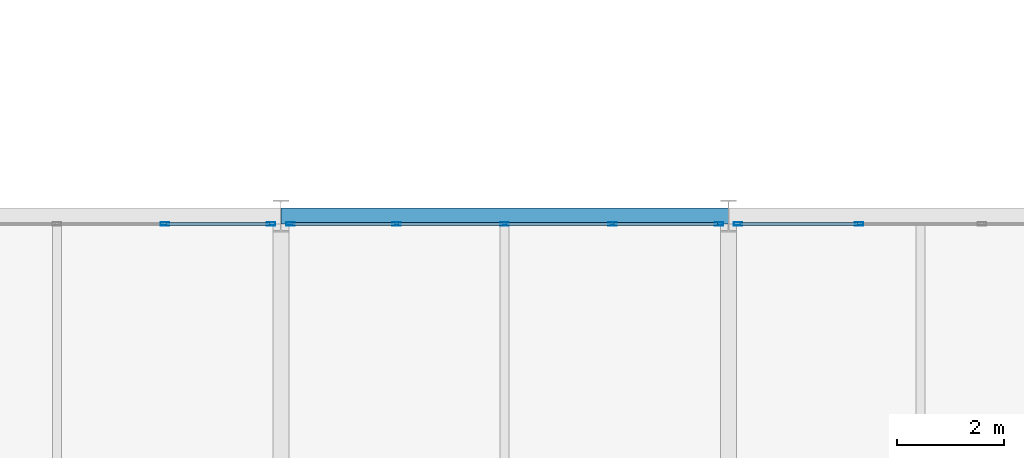
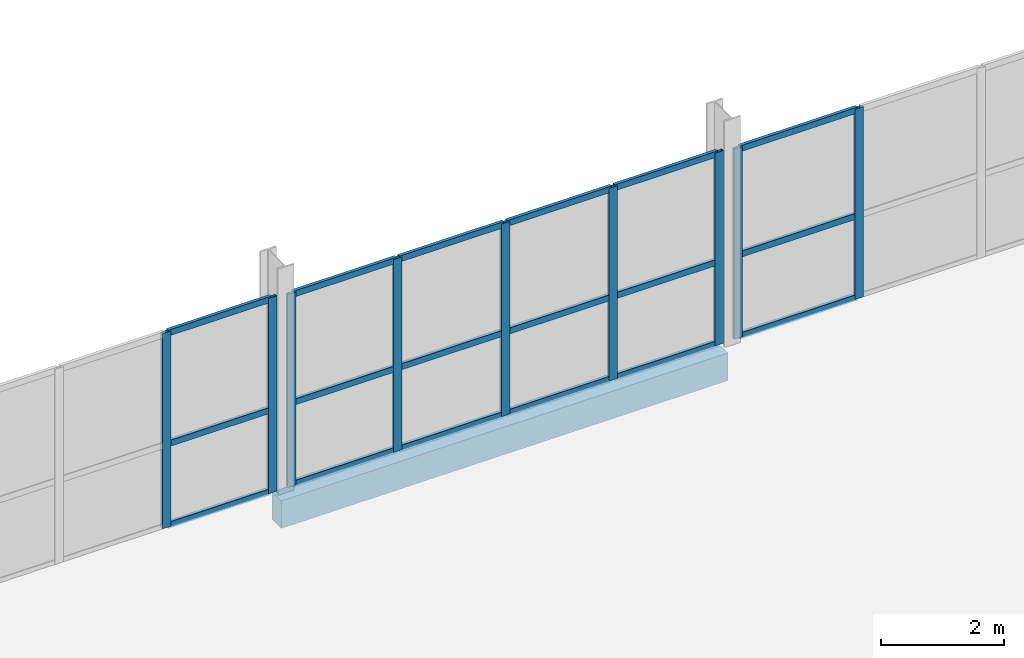
# One storey, part 102 of 130: 27 members, 1 beam, 3 elements without a shape of their own.
"""IFC4 building model written with IfcOpenShell, lengths in metres."""

from ifc_helpers import new_model, si_unit, direction, frame, origin, origin_2d, place, context, subcontext, project, spatial, rectangle, hollow_rectangle, extrude, material, material_profile, profile_set, type_object, element, aggregate, save


model = new_model("IFC4")

# Units and contexts
model_context = context("Model", 3, precision=1e-05, world=origin(), true_north=direction((0.0, 1.0)))
body_context = subcontext(model_context, "Body", "Model", "MODEL_VIEW")
ifc_project = project(units=[si_unit("LENGTHUNIT", "METRE"), si_unit("AREAUNIT", "SQUARE_METRE"), si_unit("VOLUMEUNIT", "CUBIC_METRE"), si_unit("PLANEANGLEUNIT", "RADIAN"), si_unit("MASSUNIT", "GRAM", prefix="KILO")], contexts=[model_context])

# Site, building, storey
site_placement = place(None, origin())
site = spatial("IfcSite", under=ifc_project, at=site_placement, CompositionType="ELEMENT")
building_placement = place(site_placement, origin())
building = spatial("IfcBuilding", under=site, at=building_placement, Name="Veltarok Museum of Natural Sciences", CompositionType="ELEMENT")
storey_placement = place(building_placement, frame((0.0, 0.0, 12.89990234375)))
storey = spatial("IfcBuildingStorey", under=building, at=storey_placement, Name="L02", CompositionType="ELEMENT", Elevation=12.89990234375)

# Curtain wall, members
ifc_material_1 = material(Name="Low-iron triple insulated glass", Category="glass")
curtain_wall_type_1 = type_object("IfcCurtainWallType", Name="Curtain Wall System CW-V5N-L02-0-810x388 (CW-V5N L02 810x388cm)", PredefinedType="NOTDEFINED", material=ifc_material_1)
curtain_wall_1_placement = place(storey_placement, origin())
curtain_wall_1 = element("IfcCurtainWall", 1, at=curtain_wall_1_placement, inside=storey, type_object=curtain_wall_type_1, Name="Curtain Wall CW-V5N-L02-0-810x388 CW-0204", PredefinedType="NOTDEFINED")
ifc_material_2 = material(Name="Thermally broken anodised aluminium", Category="aluminium")
ifc_material_profile_1 = material_profile(ifc_material_2, hollow_rectangle(XDim=0.06005859375, YDim=0.1201171875, WallThickness=0.0048828125, at=origin_2d()), Name="CW TRANSOM 60x120x5")
ifc_profile_set_1 = profile_set([ifc_material_profile_1], Name="Thermally broken anodised aluminium")
member_type_1 = type_object("IfcMemberType", Name="Curtain Wall Horizontal Transom 60x120x5", PredefinedType="USERDEFINED", material=ifc_profile_set_1)
member_1_placement = place(storey_placement, frame((148.989990234375, 71.85009765625, 0.028076171875), z_axis=(-1.0, 0.0, 0.0), x_axis=(0.0, -1.0, 0.0)))
member_1 = element("IfcMember", 2, at=member_1_placement, type_object=member_type_1, Name="CW-V5N-L02-0-810x388 transom 1.1", ObjectType="TRANSOM", PredefinedType="USERDEFINED", context=body_context, shape_type="SweptSolid", body=[
    extrude(hollow_rectangle(XDim=0.06005859375, YDim=0.1201171875, WallThickness=0.0048828125, at=origin_2d()), origin(), (0.0, 0.0, 1.0), 1.93505859375),
])
member_2_placement = place(storey_placement, frame((148.989990234375, 71.85009765625, 1.648193359375), z_axis=(-1.0, 0.0, 0.0), x_axis=(0.0, -1.0, 0.0)))
member_2 = element("IfcMember", 3, at=member_2_placement, type_object=member_type_1, Name="CW-V5N-L02-0-810x388 transom 1.2", ObjectType="TRANSOM", PredefinedType="USERDEFINED", context=body_context, shape_type="SweptSolid", body=[
    extrude(hollow_rectangle(XDim=0.06005859375, YDim=0.1201171875, WallThickness=0.0048828125, at=origin_2d()), origin(), (0.0, 0.0, 1.0), 1.93505859375),
])
member_3_placement = place(storey_placement, frame((148.989990234375, 71.85009765625, 3.85009765625), z_axis=(-1.0, 0.0, 0.0), x_axis=(0.0, -1.0, 0.0)))
member_3 = element("IfcMember", 4, at=member_3_placement, type_object=member_type_1, Name="CW-V5N-L02-0-810x388 transom 1.3", ObjectType="TRANSOM", PredefinedType="USERDEFINED", context=body_context, shape_type="SweptSolid", body=[
    extrude(hollow_rectangle(XDim=0.06005859375, YDim=0.1201171875, WallThickness=0.0048828125, at=origin_2d()), origin(), (0.0, 0.0, 1.0), 1.93505859375),
])

curtain_wall_type_2 = type_object("IfcCurtainWallType", Name="Curtain Wall System CW-V5N-L02-1-810x383 (CW-V5N L02 810x383cm)", PredefinedType="NOTDEFINED", material=ifc_material_1)
curtain_wall_2_placement = place(storey_placement, origin())
curtain_wall_2 = element("IfcCurtainWall", 5, at=curtain_wall_2_placement, inside=storey, type_object=curtain_wall_type_2, Name="Curtain Wall CW-V5N-L02-1-810x383 CW-0205", PredefinedType="NOTDEFINED")
member_4_placement = place(storey_placement, frame((157.389892578125, 71.85009765625, 0.028076171875), z_axis=(-1.0, 0.0, 0.0), x_axis=(0.0, -1.0, 0.0)))
member_4 = element("IfcMember", 6, at=member_4_placement, type_object=member_type_1, Name="CW-V5N-L02-1-810x383 transom 1.1", ObjectType="TRANSOM", PredefinedType="USERDEFINED", context=body_context, shape_type="SweptSolid", body=[
    extrude(hollow_rectangle(XDim=0.06005859375, YDim=0.1201171875, WallThickness=0.0048828125, at=origin_2d()), origin(), (0.0, 0.0, 1.0), 1.934814453125),
])
member_5_placement = place(storey_placement, frame((157.389892578125, 71.85009765625, 1.648193359375), z_axis=(-1.0, 0.0, 0.0), x_axis=(0.0, -1.0, 0.0)))
member_5 = element("IfcMember", 7, at=member_5_placement, type_object=member_type_1, Name="CW-V5N-L02-1-810x383 transom 1.2", ObjectType="TRANSOM", PredefinedType="USERDEFINED", context=body_context, shape_type="SweptSolid", body=[
    extrude(hollow_rectangle(XDim=0.06005859375, YDim=0.1201171875, WallThickness=0.0048828125, at=origin_2d()), origin(), (0.0, 0.0, 1.0), 1.934814453125),
])
member_6_placement = place(storey_placement, frame((157.389892578125, 71.85009765625, 3.800048828125), z_axis=(-1.0, 0.0, 0.0), x_axis=(0.0, -1.0, 0.0)))
member_6 = element("IfcMember", 8, at=member_6_placement, type_object=member_type_1, Name="CW-V5N-L02-1-810x383 transom 1.3", ObjectType="TRANSOM", PredefinedType="USERDEFINED", context=body_context, shape_type="SweptSolid", body=[
    extrude(hollow_rectangle(XDim=0.06005859375, YDim=0.1201171875, WallThickness=0.0048828125, at=origin_2d()), origin(), (0.0, 0.0, 1.0), 1.934814453125),
])
member_7_placement = place(storey_placement, frame((155.39501953125, 71.85009765625, 0.028076171875), z_axis=(-1.0, 0.0, 0.0), x_axis=(0.0, -1.0, 0.0)))
member_7 = element("IfcMember", 9, at=member_7_placement, type_object=member_type_1, Name="CW-V5N-L02-1-810x383 transom 2.1", ObjectType="TRANSOM", PredefinedType="USERDEFINED", context=body_context, shape_type="SweptSolid", body=[
    extrude(hollow_rectangle(XDim=0.06005859375, YDim=0.1201171875, WallThickness=0.0048828125, at=origin_2d()), origin(), (0.0, 0.0, 1.0), 1.965087890625),
])
member_8_placement = place(storey_placement, frame((155.39501953125, 71.85009765625, 1.648193359375), z_axis=(-1.0, 0.0, 0.0), x_axis=(0.0, -1.0, 0.0)))
member_8 = element("IfcMember", 10, at=member_8_placement, type_object=member_type_1, Name="CW-V5N-L02-1-810x383 transom 2.2", ObjectType="TRANSOM", PredefinedType="USERDEFINED", context=body_context, shape_type="SweptSolid", body=[
    extrude(hollow_rectangle(XDim=0.06005859375, YDim=0.1201171875, WallThickness=0.0048828125, at=origin_2d()), origin(), (0.0, 0.0, 1.0), 1.965087890625),
])
member_9_placement = place(storey_placement, frame((155.39501953125, 71.85009765625, 3.800048828125), z_axis=(-1.0, 0.0, 0.0), x_axis=(0.0, -1.0, 0.0)))
member_9 = element("IfcMember", 11, at=member_9_placement, type_object=member_type_1, Name="CW-V5N-L02-1-810x383 transom 2.3", ObjectType="TRANSOM", PredefinedType="USERDEFINED", context=body_context, shape_type="SweptSolid", body=[
    extrude(hollow_rectangle(XDim=0.06005859375, YDim=0.1201171875, WallThickness=0.0048828125, at=origin_2d()), origin(), (0.0, 0.0, 1.0), 1.965087890625),
])
member_10_placement = place(storey_placement, frame((153.3701171875, 71.85009765625, 0.028076171875), z_axis=(-1.0, 0.0, 0.0), x_axis=(0.0, -1.0, 0.0)))
member_10 = element("IfcMember", 12, at=member_10_placement, type_object=member_type_1, Name="CW-V5N-L02-1-810x383 transom 3.1", ObjectType="TRANSOM", PredefinedType="USERDEFINED", context=body_context, shape_type="SweptSolid", body=[
    extrude(hollow_rectangle(XDim=0.06005859375, YDim=0.1201171875, WallThickness=0.0048828125, at=origin_2d()), origin(), (0.0, 0.0, 1.0), 1.965087890625),
])
member_11_placement = place(storey_placement, frame((153.3701171875, 71.85009765625, 1.648193359375), z_axis=(-1.0, 0.0, 0.0), x_axis=(0.0, -1.0, 0.0)))
member_11 = element("IfcMember", 13, at=member_11_placement, type_object=member_type_1, Name="CW-V5N-L02-1-810x383 transom 3.2", ObjectType="TRANSOM", PredefinedType="USERDEFINED", context=body_context, shape_type="SweptSolid", body=[
    extrude(hollow_rectangle(XDim=0.06005859375, YDim=0.1201171875, WallThickness=0.0048828125, at=origin_2d()), origin(), (0.0, 0.0, 1.0), 1.965087890625),
])
member_12_placement = place(storey_placement, frame((153.3701171875, 71.85009765625, 3.800048828125), z_axis=(-1.0, 0.0, 0.0), x_axis=(0.0, -1.0, 0.0)))
member_12 = element("IfcMember", 14, at=member_12_placement, type_object=member_type_1, Name="CW-V5N-L02-1-810x383 transom 3.3", ObjectType="TRANSOM", PredefinedType="USERDEFINED", context=body_context, shape_type="SweptSolid", body=[
    extrude(hollow_rectangle(XDim=0.06005859375, YDim=0.1201171875, WallThickness=0.0048828125, at=origin_2d()), origin(), (0.0, 0.0, 1.0), 1.965087890625),
])
member_13_placement = place(storey_placement, frame((151.344970703125, 71.85009765625, 0.028076171875), z_axis=(-1.0, 0.0, 0.0), x_axis=(0.0, -1.0, 0.0)))
member_13 = element("IfcMember", 15, at=member_13_placement, type_object=member_type_1, Name="CW-V5N-L02-1-810x383 transom 4.1", ObjectType="TRANSOM", PredefinedType="USERDEFINED", context=body_context, shape_type="SweptSolid", body=[
    extrude(hollow_rectangle(XDim=0.06005859375, YDim=0.1201171875, WallThickness=0.0048828125, at=origin_2d()), origin(), (0.0, 0.0, 1.0), 1.93505859375),
])
member_14_placement = place(storey_placement, frame((151.344970703125, 71.85009765625, 1.648193359375), z_axis=(-1.0, 0.0, 0.0), x_axis=(0.0, -1.0, 0.0)))
member_14 = element("IfcMember", 16, at=member_14_placement, type_object=member_type_1, Name="CW-V5N-L02-1-810x383 transom 4.2", ObjectType="TRANSOM", PredefinedType="USERDEFINED", context=body_context, shape_type="SweptSolid", body=[
    extrude(hollow_rectangle(XDim=0.06005859375, YDim=0.1201171875, WallThickness=0.0048828125, at=origin_2d()), origin(), (0.0, 0.0, 1.0), 1.93505859375),
])
member_15_placement = place(storey_placement, frame((151.344970703125, 71.85009765625, 3.800048828125), z_axis=(-1.0, 0.0, 0.0), x_axis=(0.0, -1.0, 0.0)))
member_15 = element("IfcMember", 17, at=member_15_placement, type_object=member_type_1, Name="CW-V5N-L02-1-810x383 transom 4.3", ObjectType="TRANSOM", PredefinedType="USERDEFINED", context=body_context, shape_type="SweptSolid", body=[
    extrude(hollow_rectangle(XDim=0.06005859375, YDim=0.1201171875, WallThickness=0.0048828125, at=origin_2d()), origin(), (0.0, 0.0, 1.0), 1.93505859375),
])

curtain_wall_type_3 = type_object("IfcCurtainWallType", Name="Curtain Wall System CW-V5N-L02-2-690x378 (CW-V5N L02 690x378cm)", PredefinedType="NOTDEFINED", material=ifc_material_1)
curtain_wall_3_placement = place(storey_placement, origin())
curtain_wall_3 = element("IfcCurtainWall", 18, at=curtain_wall_3_placement, inside=storey, type_object=curtain_wall_type_3, Name="Curtain Wall CW-V5N-L02-2-690x378 CW-0206", PredefinedType="NOTDEFINED")
member_16_placement = place(storey_placement, frame((160.02001953125, 71.85009765625, 0.028076171875), z_axis=(-1.0, 0.0, 0.0), x_axis=(0.0, -1.0, 0.0)))
member_16 = element("IfcMember", 19, at=member_16_placement, type_object=member_type_1, Name="CW-V5N-L02-2-690x378 transom 3.1", ObjectType="TRANSOM", PredefinedType="USERDEFINED", context=body_context, shape_type="SweptSolid", body=[
    extrude(hollow_rectangle(XDim=0.06005859375, YDim=0.1201171875, WallThickness=0.0048828125, at=origin_2d()), origin(), (0.0, 0.0, 1.0), 2.2099609375),
])
member_17_placement = place(storey_placement, frame((160.02001953125, 71.85009765625, 1.648193359375), z_axis=(-1.0, 0.0, 0.0), x_axis=(0.0, -1.0, 0.0)))
member_17 = element("IfcMember", 20, at=member_17_placement, type_object=member_type_1, Name="CW-V5N-L02-2-690x378 transom 3.2", ObjectType="TRANSOM", PredefinedType="USERDEFINED", context=body_context, shape_type="SweptSolid", body=[
    extrude(hollow_rectangle(XDim=0.06005859375, YDim=0.1201171875, WallThickness=0.0048828125, at=origin_2d()), origin(), (0.0, 0.0, 1.0), 2.2099609375),
])
member_18_placement = place(storey_placement, frame((160.02001953125, 71.85009765625, 3.75), z_axis=(-1.0, 0.0, 0.0), x_axis=(0.0, -1.0, 0.0)))
member_18 = element("IfcMember", 21, at=member_18_placement, type_object=member_type_1, Name="CW-V5N-L02-2-690x378 transom 3.3", ObjectType="TRANSOM", PredefinedType="USERDEFINED", context=body_context, shape_type="SweptSolid", body=[
    extrude(hollow_rectangle(XDim=0.06005859375, YDim=0.1201171875, WallThickness=0.0048828125, at=origin_2d()), origin(), (0.0, 0.0, 1.0), 2.2099609375),
])

# Member
ifc_material_profile_2 = material_profile(ifc_material_2, hollow_rectangle(XDim=0.06005859375, YDim=0.159912109375, WallThickness=0.0048828125, at=origin_2d()), Name="CW MULLION 60x160x5")
ifc_profile_set_2 = profile_set([ifc_material_profile_2], Name="Thermally broken anodised aluminium")
member_type_2 = type_object("IfcMemberType", Name="Curtain Wall Vertical Mullion 60x160x5", PredefinedType="MULLION", material=ifc_profile_set_2)
member_19_placement = place(storey_placement, frame((149.02001953125, 71.85009765625, -0.001953125), z_axis=(0.0, 0.0, 1.0), x_axis=(0.0, -1.0, 0.0)))
member_19 = element("IfcMember", 22, at=member_19_placement, type_object=member_type_2, Name="CW-V5N-L02-0-810x388 mullion 1", PredefinedType="MULLION", context=body_context, shape_type="SweptSolid", body=[
    extrude(hollow_rectangle(XDim=0.06005859375, YDim=0.159912109375, WallThickness=0.0048828125, at=origin_2d()), origin(), (0.0, 0.0, 1.0), 3.882080078125),
])

member_20_placement = place(storey_placement, frame((147.02490234375, 71.85009765625, -0.001953125), z_axis=(0.0, 0.0, 1.0), x_axis=(0.0, -1.0, 0.0)))
member_20 = element("IfcMember", 23, at=member_20_placement, type_object=member_type_2, Name="CW-V5N-L02-0-810x388 mullion 2", PredefinedType="MULLION", context=body_context, shape_type="SweptSolid", body=[
    extrude(hollow_rectangle(XDim=0.06005859375, YDim=0.159912109375, WallThickness=0.0048828125, at=origin_2d()), origin(), (0.0, 0.0, 1.0), 3.882080078125),
])

aggregate(curtain_wall_1, [member_19, member_20, member_1, member_2, member_3])

member_21_placement = place(storey_placement, frame((157.419921875, 71.85009765625, -0.001953125), z_axis=(0.0, 0.0, 1.0), x_axis=(0.0, -1.0, 0.0)))
member_21 = element("IfcMember", 24, at=member_21_placement, type_object=member_type_2, Name="CW-V5N-L02-1-810x383 mullion 1", PredefinedType="MULLION", context=body_context, shape_type="SweptSolid", body=[
    extrude(hollow_rectangle(XDim=0.06005859375, YDim=0.159912109375, WallThickness=0.0048828125, at=origin_2d()), origin(), (0.0, 0.0, 1.0), 3.83203125),
])

member_22_placement = place(storey_placement, frame((155.425048828125, 71.85009765625, -0.001953125), z_axis=(0.0, 0.0, 1.0), x_axis=(0.0, -1.0, 0.0)))
member_22 = element("IfcMember", 25, at=member_22_placement, type_object=member_type_2, Name="CW-V5N-L02-1-810x383 mullion 2", PredefinedType="MULLION", context=body_context, shape_type="SweptSolid", body=[
    extrude(hollow_rectangle(XDim=0.06005859375, YDim=0.159912109375, WallThickness=0.0048828125, at=origin_2d()), origin(), (0.0, 0.0, 1.0), 3.83203125),
])

member_23_placement = place(storey_placement, frame((153.39990234375, 71.85009765625, -0.001953125), z_axis=(0.0, 0.0, 1.0), x_axis=(0.0, -1.0, 0.0)))
member_23 = element("IfcMember", 26, at=member_23_placement, type_object=member_type_2, Name="CW-V5N-L02-1-810x383 mullion 3", PredefinedType="MULLION", context=body_context, shape_type="SweptSolid", body=[
    extrude(hollow_rectangle(XDim=0.06005859375, YDim=0.159912109375, WallThickness=0.0048828125, at=origin_2d()), origin(), (0.0, 0.0, 1.0), 3.83203125),
])

member_24_placement = place(storey_placement, frame((151.375, 71.85009765625, -0.001953125), z_axis=(0.0, 0.0, 1.0), x_axis=(0.0, -1.0, 0.0)))
member_24 = element("IfcMember", 27, at=member_24_placement, type_object=member_type_2, Name="CW-V5N-L02-1-810x383 mullion 4", PredefinedType="MULLION", context=body_context, shape_type="SweptSolid", body=[
    extrude(hollow_rectangle(XDim=0.06005859375, YDim=0.159912109375, WallThickness=0.0048828125, at=origin_2d()), origin(), (0.0, 0.0, 1.0), 3.83203125),
])

member_25_placement = place(storey_placement, frame((149.3798828125, 71.85009765625, -0.001953125), z_axis=(0.0, 0.0, 1.0), x_axis=(0.0, -1.0, 0.0)))
member_25 = element("IfcMember", 28, at=member_25_placement, type_object=member_type_2, Name="CW-V5N-L02-1-810x383 mullion 5", PredefinedType="MULLION", context=body_context, shape_type="SweptSolid", body=[
    extrude(hollow_rectangle(XDim=0.06005859375, YDim=0.159912109375, WallThickness=0.0048828125, at=origin_2d()), origin(), (0.0, 0.0, 1.0), 3.83203125),
])

aggregate(curtain_wall_2, [member_21, member_22, member_23, member_24, member_25, member_4, member_5, member_6, member_7, member_8, member_9, member_10, member_11, member_12, member_13, member_14, member_15])

member_26_placement = place(storey_placement, frame((160.050048828125, 71.85009765625, -0.001953125), z_axis=(0.0, 0.0, 1.0), x_axis=(0.0, -1.0, 0.0)))
member_26 = element("IfcMember", 29, at=member_26_placement, type_object=member_type_2, Name="CW-V5N-L02-2-690x378 mullion 3", PredefinedType="MULLION", context=body_context, shape_type="SweptSolid", body=[
    extrude(hollow_rectangle(XDim=0.06005859375, YDim=0.159912109375, WallThickness=0.0048828125, at=origin_2d()), origin(), (0.0, 0.0, 1.0), 3.781982421875),
])

member_27_placement = place(storey_placement, frame((157.780029296875, 71.85009765625, -0.001953125), z_axis=(0.0, 0.0, 1.0), x_axis=(0.0, -1.0, 0.0)))
member_27 = element("IfcMember", 30, at=member_27_placement, type_object=member_type_2, Name="CW-V5N-L02-2-690x378 mullion 4", PredefinedType="MULLION", context=body_context, shape_type="SweptSolid", body=[
    extrude(hollow_rectangle(XDim=0.06005859375, YDim=0.159912109375, WallThickness=0.0048828125, at=origin_2d()), origin(), (0.0, 0.0, 1.0), 3.781982421875),
])

aggregate(curtain_wall_3, [member_26, member_27, member_16, member_17, member_18])

# Beam
ifc_material_3 = material(Name="Precast concrete C40/50", Category="concrete")
ifc_material_profile_3 = material_profile(ifc_material_3, rectangle(XDim=0.300048828125, YDim=0.550048828125, at=origin_2d()), Name="RC 300x550")
ifc_profile_set_3 = profile_set([ifc_material_profile_3], Name="Precast concrete C40/50")
beam_type = type_object("IfcBeamType", Name="East Wing Precast Spandrel RC 300x550", PredefinedType="SPANDREL", material=ifc_profile_set_3)
beam_placement = place(storey_placement, frame((149.199951171875, 72.0, -0.52490234375), z_axis=(1.0, 0.0, 0.0), x_axis=(0.0, 1.0, 0.0)))
element("IfcBeam", 31, at=beam_placement, inside=storey, type_object=beam_type, Name="Beam BM-SP02 L02 18-19/H", PredefinedType="SPANDREL", context=body_context, shape_type="SweptSolid", body=[
    extrude(rectangle(XDim=0.300048828125, YDim=0.550048828125, at=origin_2d()), origin(), (0.0, 0.0, 1.0), 8.400146484375),
])

save(model, "model.ifc")
